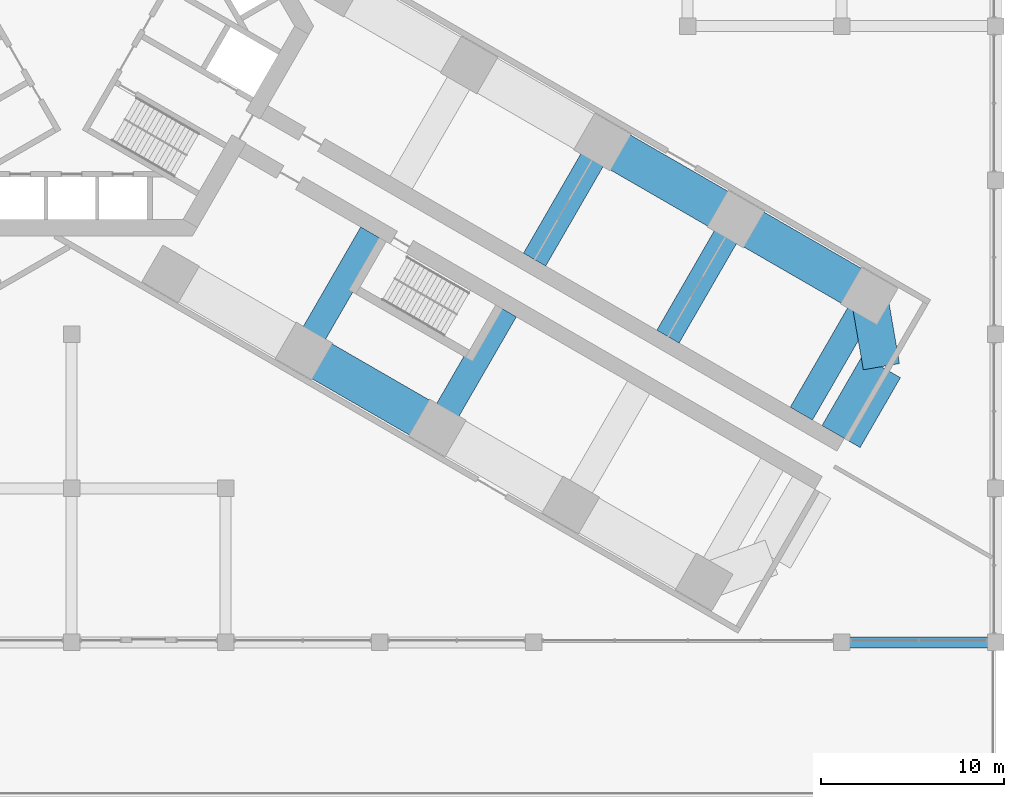
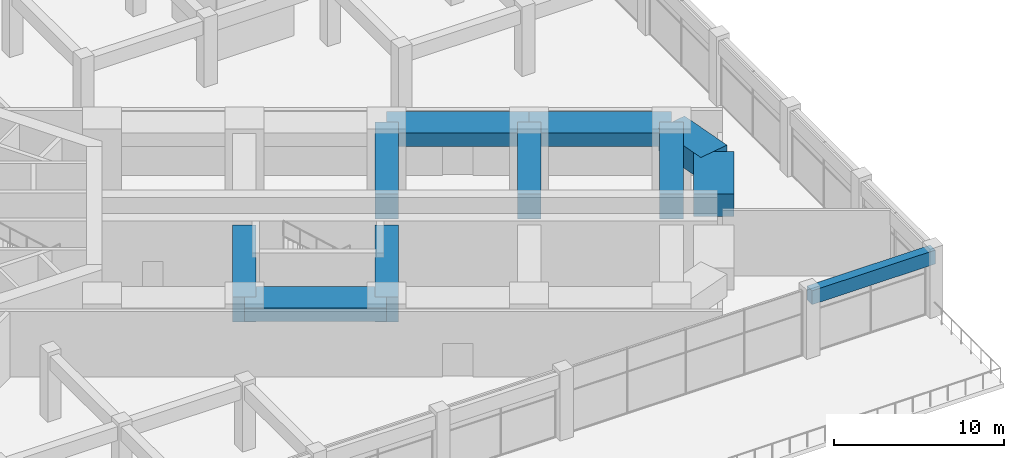
# One storey, part 12 of 36: 11 beams.
"""IFC4 building model written with IfcOpenShell, lengths in metres."""

from ifc_helpers import new_model, si_unit, direction, frame, origin, origin_2d, place, context, subcontext, project, spatial, rectangle, extrude, material, material_profile, profile_set, type_object, element, save


model = new_model("IFC4")

# Units and contexts
model_context = context("Model", 3, precision=1e-05, world=origin(), true_north=direction((0.0, 1.0)))
body_context = subcontext(model_context, "Body", "Model", "MODEL_VIEW")
ifc_project = project(units=[si_unit("LENGTHUNIT", "METRE"), si_unit("AREAUNIT", "SQUARE_METRE"), si_unit("VOLUMEUNIT", "CUBIC_METRE"), si_unit("PLANEANGLEUNIT", "RADIAN"), si_unit("MASSUNIT", "GRAM", prefix="KILO")], contexts=[model_context])

# Site, building, storey
site_placement = place(None, origin())
site = spatial("IfcSite", under=ifc_project, at=site_placement, CompositionType="ELEMENT")
building_placement = place(site_placement, origin())
building = spatial("IfcBuilding", under=site, at=building_placement, Name="Impinga Residences", CompositionType="ELEMENT")
storey_placement = place(building_placement, frame((0.0, 0.0, 6.0)))
storey = spatial("IfcBuildingStorey", under=building, at=storey_placement, Name="L01", CompositionType="ELEMENT", Elevation=6.0)

# Beams
ifc_material = material(Name="Concrete C60/75", Category="concrete")
ifc_material_profile_1 = material_profile(ifc_material, rectangle(XDim=2.0, YDim=1.60009765625, at=origin_2d()), Name="RC 2000x1600")
ifc_profile_set_1 = profile_set([ifc_material_profile_1], Name="Concrete C60/75")
beam_type_1 = type_object("IfcBeamType", Name="CB2 2000x1600 wing end cantilever beam", PredefinedType="BEAM", material=ifc_profile_set_1)
beam_1_placement = place(storey_placement, frame((43.49853515625, -14.721435546875, 3.89990234375), z_axis=(0.170296298948, -0.985392901621, 0.0), x_axis=(0.985392901621, 0.170296298948, 0.0)))
element("IfcBeam", 1, at=beam_1_placement, inside=storey, type_object=beam_type_1, Name="Beam CB2 EB E5-EX level L02", PredefinedType="BEAM", context=body_context, shape_type="SweptSolid", body=[
    extrude(rectangle(XDim=2.0, YDim=1.60009765625, at=origin_2d()), origin(), (0.0, 0.0, 1.0), 3.9052734375),
])
ifc_material_profile_2 = material_profile(ifc_material, rectangle(XDim=1.39990234375, YDim=1.800048828125, at=origin_2d()), Name="RC 1400x1800")
ifc_profile_set_2 = profile_set([ifc_material_profile_2], Name="Concrete C60/75")
beam_type_2 = type_object("IfcBeamType", Name="CG4 1400x1800 cross girder on a wing bay line under the podium floors", PredefinedType="BEAM", material=ifc_profile_set_2)
for number, where, z_axis, x_axis, name in (
    (2, (25.249267578125, -12.730224609375, 3.800048828125), (0.499988999718, 0.866031754707, 0.0), (-0.866031754707, 0.499988999718, 0.0), "Beam CG4 E3 EC/EA level L02"),
    (3, (32.52392578125, -16.93017578125, 3.800048828125), (0.499988999718, 0.866031754707, 0.0), (-0.866031754707, 0.499988999718, 0.0), "Beam CG4 E4 EC/EA level L02"),
    (4, (39.79833984375, -21.130126953125, 3.800048828125), (0.500013743233, 0.86601746898, 0.0), (-0.86601746898, 0.500013743233, 0.0), "Beam CG4 E5 EC/EA level L02"),
):
    element("IfcBeam", number, at=place(storey_placement, frame(where, z_axis=z_axis, x_axis=x_axis)), inside=storey, type_object=beam_type_2, Name=name, PredefinedType="BEAM", context=body_context, shape_type="SweptSolid", body=[
        extrude(rectangle(XDim=1.39990234375, YDim=1.800048828125, at=origin_2d()), origin(), (0.0, 0.0, 1.0), 7.400146484375),
    ])
for number, where, z_axis, x_axis, name in (
    (5, (16.37451171875, -11.301513671875, 3.800048828125), (-0.500003285667, -0.866023506795, 0.0), (0.866023506795, -0.500003285667, 0.0), "Beam CG4 E2 EC/EF level L02"),
    (6, (23.649169921875, -15.50146484375, 3.800048828125), (-0.500003285667, -0.866023506795, 0.0), (0.866023506795, -0.500003285667, 0.0), "Beam CG4 E3 EC/EF level L02"),
):
    element("IfcBeam", number, at=place(storey_placement, frame(where, z_axis=z_axis, x_axis=x_axis)), inside=storey, type_object=beam_type_2, Name=name, PredefinedType="BEAM", context=body_context, shape_type="SweptSolid", body=[
        extrude(rectangle(XDim=1.39990234375, YDim=1.800048828125, at=origin_2d()), origin(), (0.0, 0.0, 1.0), 7.39990234375),
    ])
ifc_material_profile_3 = material_profile(ifc_material, rectangle(XDim=2.39990234375, YDim=1.60009765625, at=origin_2d()), Name="RC 2400x1600")
ifc_profile_set_3 = profile_set([ifc_material_profile_3], Name="Concrete C60/75")
beam_type_3 = type_object("IfcBeamType", Name="EB2 2400x1600 wing end beam", PredefinedType="BEAM", material=ifc_profile_set_3)
beam_2_placement = place(storey_placement, frame((44.16357421875, -18.569580078125, 3.89990234375), z_axis=(-0.499988222896, -0.866032203192, 0.0), x_axis=(0.866032203192, -0.499988222896, 0.0)))
element("IfcBeam", 7, at=beam_2_placement, inside=storey, type_object=beam_type_3, Name="Beam EB2 EX4 level L02", PredefinedType="BEAM", context=body_context, shape_type="SweptSolid", body=[
    extrude(rectangle(XDim=2.39990234375, YDim=1.60009765625, at=origin_2d()), origin(), (0.0, 0.0, 1.0), 4.39990234375),
])
ifc_material_profile_4 = material_profile(ifc_material, rectangle(XDim=0.60009765625, YDim=1.0, at=origin_2d()), Name="RC 600x1000")
ifc_profile_set_4 = profile_set([ifc_material_profile_4], Name="Concrete C60/75")
beam_type_4 = type_object("IfcBeamType", Name="PB2 600x1000 podium beam", PredefinedType="BEAM", material=ifc_profile_set_4)
beam_3_placement = place(storey_placement, frame((42.0, -33.60009765625, 4.199951171875), z_axis=(1.0, 0.0, 0.0), x_axis=(0.0, 1.0, 0.0)))
element("IfcBeam", 8, at=beam_3_placement, inside=storey, type_object=beam_type_4, Name="Beam PB2 B/12-13 level L02", PredefinedType="BEAM", context=body_context, shape_type="SweptSolid", body=[
    extrude(rectangle(XDim=0.60009765625, YDim=1.0, at=origin_2d()), origin(), (0.0, 0.0, 1.0), 8.39990234375),
])
ifc_material_profile_5 = material_profile(ifc_material, rectangle(XDim=2.199951171875, YDim=1.0, at=origin_2d()), Name="RC 2200x1000")
ifc_profile_set_5 = profile_set([ifc_material_profile_5], Name="Concrete C60/75")
beam_type_5 = type_object("IfcBeamType", Name="PB3 2200x1000 podium band beam", PredefinedType="BEAM", material=ifc_profile_set_5)
for number, where, z_axis, x_axis, name in (
    (9, (28.94921875, -6.321533203125, 4.199951171875), (0.86602925447, -0.499993330357, 0.0), (0.499993330357, 0.86602925447, 0.0), "Beam PB3 EA E3-E4 level L02"),
    (10, (36.223876953125, -10.521484375, 4.199951171875), (0.86602925447, -0.499993330357, 0.0), (0.499993330357, 0.86602925447, 0.0), "Beam PB3 EA E4-E5 level L02"),
    (11, (12.674560546875, -17.7099609375, 4.199951171875), (0.86602925447, -0.499993330357, 0.0), (0.499993330357, 0.86602925447, 0.0), "Beam PB3 EF E2-E3 level L02"),
):
    element("IfcBeam", number, at=place(storey_placement, frame(where, z_axis=z_axis, x_axis=x_axis)), inside=storey, type_object=beam_type_5, Name=name, PredefinedType="BEAM", context=body_context, shape_type="SweptSolid", body=[
        extrude(rectangle(XDim=2.199951171875, YDim=1.0, at=origin_2d()), origin(), (0.0, 0.0, 1.0), 8.39990234375),
    ])

save(model, "model.ifc")
